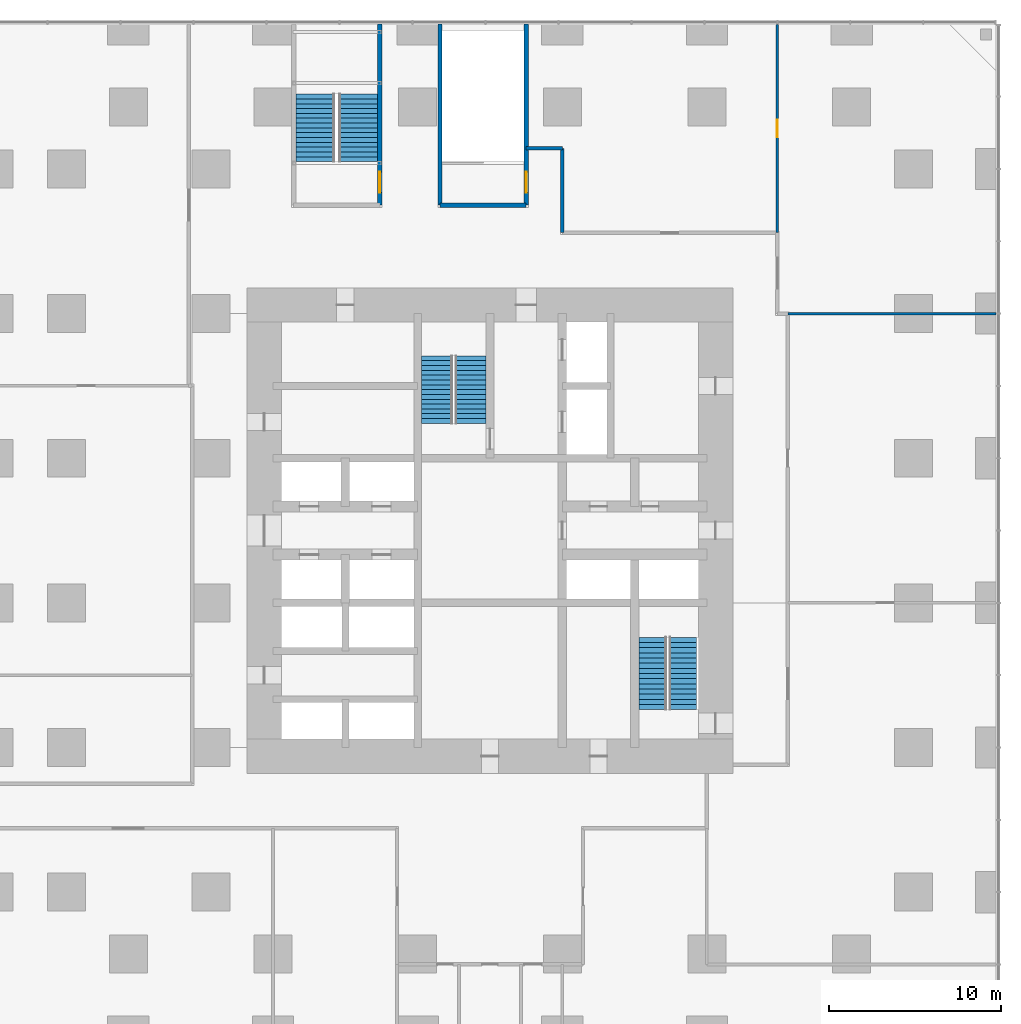
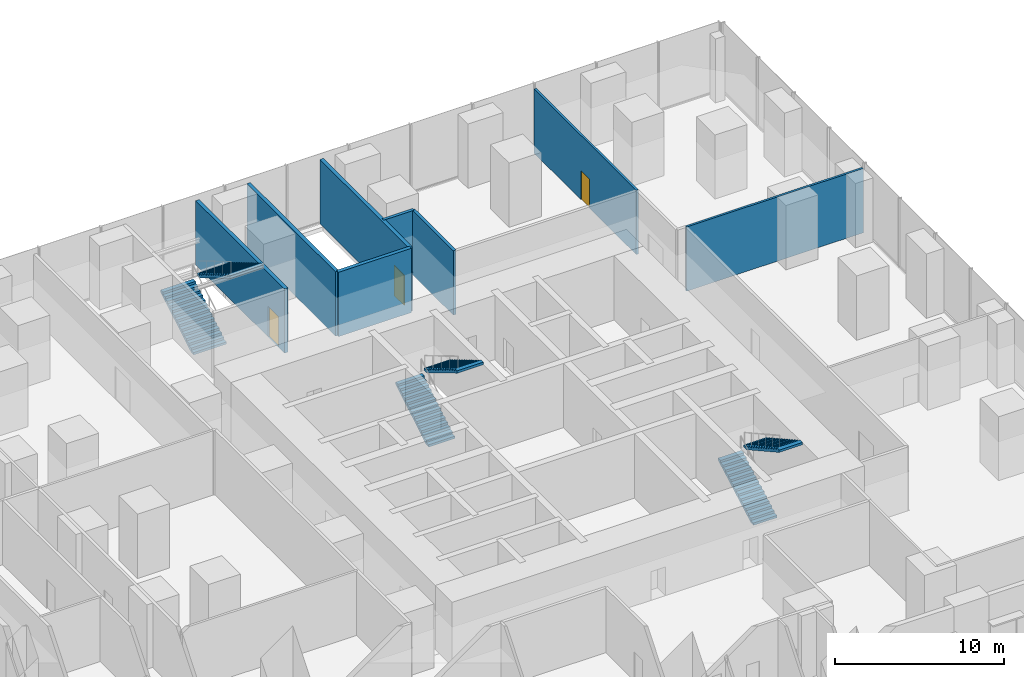
# One storey, part 15 of 18: 8 walls, 6 stair flights, 3 doors, 3 openings, 3 elements without a shape of their own.
"""IFC4 building model written with IfcOpenShell, lengths in metres."""

from ifc_helpers import new_model, si_unit, direction, frame, frame_2d, origin, place, context, subcontext, project, spatial, polyline, rectangle, outline, extrude, material, layer, layer_set, type_object, element, fill, aggregate, save


model = new_model("IFC4")

# Units and contexts
model_context = context("Model", 3, precision=1e-05, world=origin(), true_north=direction((0.0, 1.0)))
body_context = subcontext(model_context, "Body", "Model", "MODEL_VIEW")
ifc_project = project(units=[si_unit("LENGTHUNIT", "METRE"), si_unit("AREAUNIT", "SQUARE_METRE"), si_unit("VOLUMEUNIT", "CUBIC_METRE"), si_unit("PLANEANGLEUNIT", "RADIAN"), si_unit("MASSUNIT", "GRAM", prefix="KILO")], contexts=[model_context])

# Site, building, storey
site_placement = place(None, origin())
site = spatial("IfcSite", under=ifc_project, at=site_placement, CompositionType="ELEMENT")
building_placement = place(site_placement, origin())
building = spatial("IfcBuilding", under=site, at=building_placement, Name="Dunama Terrace Hotel", CompositionType="ELEMENT")
storey_placement = place(building_placement, frame((0.0, 0.0, 17.0)))
storey = spatial("IfcBuildingStorey", under=building, at=storey_placement, Name="L03", CompositionType="ELEMENT", Elevation=17.0)

# Walls
ifc_material_1 = material(Name="Concrete blockwork", Category="masonry")
ifc_layer_1 = layer(ifc_material_1, 0.199951171875)
ifc_layer_set_1 = layer_set([ifc_layer_1], Name="Corridor partition 200")
wall_type_1 = type_object("IfcWallType", Name="Corridor partition 200", PredefinedType="PARTITIONING", material=ifc_layer_set_1)
wall_1_placement = place(storey_placement, frame((33.60009765625, 46.699951171875, 0.0), z_axis=(0.0, 0.0, 1.0), x_axis=(0.0, 1.0, 0.0)))
element("IfcWall", 1, at=wall_1_placement, inside=storey, type_object=wall_type_1, Name="Corridor partition 200 L03", PredefinedType="PARTITIONING", context=body_context, shape_type="SweptSolid", body=[
    extrude(rectangle(XDim=4.900146484375, YDim=0.199951171875, at=frame_2d((2.4501953125, 0.0))), origin(), (0.0, 0.0, 1.0), 4.64990234375),
])
wall_2_placement = place(storey_placement, frame((31.5, 51.60009765625, 0.0), z_axis=(0.0, 0.0, 1.0), x_axis=(1.0, 0.0, 0.0)))
element("IfcWall", 2, at=wall_2_placement, inside=storey, type_object=wall_type_1, Name="Corridor partition 200 L03", PredefinedType="PARTITIONING", context=body_context, shape_type="SweptSolid", body=[
    extrude(rectangle(XDim=2.10009765625, YDim=0.199951171875, at=frame_2d((1.050048828125, 0.0))), origin(), (0.0, 0.0, 1.0), 4.64990234375),
])

# Wall, opening, door
ifc_material_2 = material(Name="Gypsum board partition", Category="masonry")
ifc_layer_2 = layer(ifc_material_2, 0.14990234375)
ifc_layer_set_2 = layer_set([ifc_layer_2], Name="Room partition 150")
wall_type_2 = type_object("IfcWallType", Name="Room partition 150", PredefinedType="PARTITIONING", material=ifc_layer_set_2)
wall_3_placement = place(storey_placement, frame((46.0869140625, 46.699951171875, 0.0), z_axis=(0.0, 0.0, 1.0), x_axis=(0.0, 1.0, 0.0)))
wall_3 = element("IfcWall", 3, at=wall_3_placement, inside=storey, type_object=wall_type_2, Name="Room partition 150 L03", PredefinedType="PARTITIONING", context=body_context, shape_type="SweptSolid", body=[
    extrude(rectangle(XDim=12.10009765625, YDim=0.14990234375, at=frame_2d((6.050048828125, 0.0))), origin(), (0.0, 0.0, 1.0), 4.64990234375),
])
opening_1_placement = place(wall_3_placement, frame((5.550048828125, 0.0, 0.0)))
opening_1 = element("IfcOpeningElement", 4, at=opening_1_placement, cuts=wall_3, Name="Opening L03-042", PredefinedType="OPENING", context=body_context, shape_type="SweptSolid", body=[
    extrude(rectangle(XDim=1.0, YDim=2.10009765625, at=frame_2d((0.5, 1.050048828125))), frame((0.0, 0.0849609375, 0.0), z_axis=(0.0, -1.0, 0.0), x_axis=(1.0, 0.0, 0.0)), (0.0, 0.0, 1.0), 0.169921875),
])
ifc_material_3 = material(Name="Timber door with steel frame", Category="steel")
door_type_1 = type_object("IfcDoorType", Name="Service door 1000", OperationType="SINGLE_SWING_LEFT", PredefinedType="DOOR", material=ifc_material_3)
door_1_placement = place(opening_1_placement, origin())
door_1 = element("IfcDoor", 5, at=door_1_placement, inside=storey, type_object=door_type_1, Name="Door to grill kitchen L03-042, type D7", OperationType="SINGLE_SWING_RIGHT", OverallHeight=2.10009765625, OverallWidth=1.0, PredefinedType="DOOR", context=body_context, shape_type="SweptSolid", body=[
    extrude(rectangle(XDim=1.0, YDim=2.10009765625, at=frame_2d((0.5, 1.050048828125))), frame((0.0, 0.02490234375, 0.0), z_axis=(0.0, -1.0, 0.0), x_axis=(1.0, 0.0, 0.0)), (0.0, 0.0, 1.0), 0.050048828125),
])
fill(opening_1, door_1)

# Wall
wall_4_placement = place(storey_placement, frame((46.699951171875, 42.0, 0.0), z_axis=(0.0, 0.0, 1.0), x_axis=(1.0, 0.0, 0.0)))
element("IfcWall", 6, at=wall_4_placement, inside=storey, type_object=wall_type_2, Name="Room partition 150 L03", PredefinedType="PARTITIONING", context=body_context, shape_type="SweptSolid", body=[
    extrude(rectangle(XDim=12.10009765625, YDim=0.14990234375, at=frame_2d((6.050048828125, 0.0))), origin(), (0.0, 0.0, 1.0), 4.64990234375),
])

# Wall, opening, door
ifc_material_4 = material(Name="Concrete blockwork", Category="masonry")
ifc_layer_3 = layer(ifc_material_4, 0.25)
ifc_layer_set_3 = layer_set([ifc_layer_3], Name="Stair enclosure wall 250")
wall_type_3 = type_object("IfcWallType", Name="Stair enclosure wall 250", PredefinedType="PARTITIONING", material=ifc_layer_set_3)
wall_5_placement = place(storey_placement, frame((23.0, 48.300048828125, 0.0), z_axis=(0.0, 0.0, 1.0), x_axis=(0.0, 1.0, 0.0)))
wall_5 = element("IfcWall", 7, at=wall_5_placement, inside=storey, type_object=wall_type_3, Name="Stair enclosure wall 250 L03", PredefinedType="PARTITIONING", context=body_context, shape_type="SweptSolid", body=[
    extrude(rectangle(XDim=10.52294921875, YDim=0.25, at=frame_2d((5.261474609375, 0.0))), origin(), (0.0, 0.0, 1.0), 4.64990234375),
])
opening_2_placement = place(wall_5_placement, frame((0.72509765625, 0.0, 0.0)))
opening_2 = element("IfcOpeningElement", 8, at=opening_2_placement, cuts=wall_5, Name="Opening L03-010", PredefinedType="OPENING", context=body_context, shape_type="SweptSolid", body=[
    extrude(rectangle(XDim=1.199951171875, YDim=2.199951171875, at=frame_2d((0.60009765625, 1.10009765625))), frame((0.0, 0.135009765625, 0.0), z_axis=(0.0, -1.0, 0.0), x_axis=(1.0, 0.0, 0.0)), (0.0, 0.0, 1.0), 0.27001953125),
])
ifc_material_5 = material(Name="Timber door with steel frame", Category="steel")
door_type_2 = type_object("IfcDoorType", Name="Stair door 1200", OperationType="SINGLE_SWING_LEFT", PredefinedType="DOOR", material=ifc_material_5)
door_2_placement = place(opening_2_placement, origin())
door_2 = element("IfcDoor", 9, at=door_2_placement, inside=storey, type_object=door_type_2, Name="Stair door P5 L03-010, type D5", OperationType="SINGLE_SWING_RIGHT", OverallHeight=2.199951171875, OverallWidth=1.199951171875, PredefinedType="DOOR", context=body_context, shape_type="SweptSolid", body=[
    extrude(rectangle(XDim=1.199951171875, YDim=2.199951171875, at=frame_2d((0.60009765625, 1.10009765625))), frame((0.0, 0.02490234375, 0.0), z_axis=(0.0, -1.0, 0.0), x_axis=(1.0, 0.0, 0.0)), (0.0, 0.0, 1.0), 0.050048828125),
])
fill(opening_2, door_2)

# Wall
wall_6_placement = place(storey_placement, frame((26.5, 48.300048828125, 0.0), z_axis=(0.0, 0.0, 1.0), x_axis=(0.0, 1.0, 0.0)))
element("IfcWall", 10, at=wall_6_placement, inside=storey, type_object=wall_type_3, Name="Stair enclosure wall 250 L03", PredefinedType="PARTITIONING", context=body_context, shape_type="SweptSolid", body=[
    extrude(rectangle(XDim=10.52294921875, YDim=0.25, at=frame_2d((5.261474609375, 0.0))), origin(), (0.0, 0.0, 1.0), 4.64990234375),
])

# Wall, opening, door
wall_7_placement = place(storey_placement, frame((31.5, 48.300048828125, 0.0), z_axis=(0.0, 0.0, 1.0), x_axis=(0.0, 1.0, 0.0)))
wall_7 = element("IfcWall", 11, at=wall_7_placement, inside=storey, type_object=wall_type_3, Name="Stair enclosure wall 250 L03", PredefinedType="PARTITIONING", context=body_context, shape_type="SweptSolid", body=[
    extrude(rectangle(XDim=10.52294921875, YDim=0.25, at=frame_2d((5.261474609375, 0.0))), origin(), (0.0, 0.0, 1.0), 4.64990234375),
])
opening_3_placement = place(wall_7_placement, frame((0.72509765625, 0.0, 0.0)))
opening_3 = element("IfcOpeningElement", 12, at=opening_3_placement, cuts=wall_7, Name="Opening L03-011", PredefinedType="OPENING", context=body_context, shape_type="SweptSolid", body=[
    extrude(rectangle(XDim=1.199951171875, YDim=2.199951171875, at=frame_2d((0.60009765625, 1.10009765625))), frame((0.0, 0.135009765625, 0.0), z_axis=(0.0, -1.0, 0.0), x_axis=(1.0, 0.0, 0.0)), (0.0, 0.0, 1.0), 0.27001953125),
])
door_3_placement = place(opening_3_placement, origin())
door_3 = element("IfcDoor", 13, at=door_3_placement, inside=storey, type_object=door_type_2, Name="Stair door P6 L03-011, type D5", OperationType="SINGLE_SWING_LEFT", OverallHeight=2.199951171875, OverallWidth=1.199951171875, PredefinedType="DOOR", context=body_context, shape_type="SweptSolid", body=[
    extrude(rectangle(XDim=1.199951171875, YDim=2.199951171875, at=frame_2d((0.60009765625, 1.10009765625))), frame((0.0, 0.02490234375, 0.0), z_axis=(0.0, -1.0, 0.0), x_axis=(1.0, 0.0, 0.0)), (0.0, 0.0, 1.0), 0.050048828125),
])
fill(opening_3, door_3)

# Wall
wall_8_placement = place(storey_placement, frame((26.5, 48.300048828125, 0.0), z_axis=(0.0, 0.0, 1.0), x_axis=(1.0, 0.0, 0.0)))
element("IfcWall", 14, at=wall_8_placement, inside=storey, type_object=wall_type_3, Name="Stair enclosure wall 250 L03", PredefinedType="PARTITIONING", context=body_context, shape_type="SweptSolid", body=[
    extrude(rectangle(XDim=5.0, YDim=0.25, at=frame_2d((2.5, 0.0))), origin(), (0.0, 0.0, 1.0), 4.64990234375),
])

# Stair, stair flights
ifc_material_6 = material(Name="Concrete C40/50", Category="concrete")
stair_type_1 = type_object("IfcStairType", Name="Stair P5-5000-2250", PredefinedType="HALF_TURN_STAIR", material=ifc_material_6)
stair_1_placement = place(storey_placement, origin())
stair_1 = element("IfcStair", 15, at=stair_1_placement, inside=storey, type_object=stair_type_1, Name="Stair P5 L03", PredefinedType="HALF_TURN_STAIR")
ifc_material_7 = material(Name="Concrete C40/50", Category="concrete")
stair_flight_type_1 = type_object("IfcStairFlightType", Name="Stair flight P5-5000-2250", PredefinedType="STRAIGHT", material=ifc_material_7)
stair_flight_1_placement = place(storey_placement, frame((19.25, 50.824951171875, 0.0), z_axis=(0.0, 0.0, 1.0), x_axis=(0.0, 1.0, 0.0)))
stair_flight_1 = element("IfcStairFlight", 16, at=stair_flight_1_placement, type_object=stair_flight_type_1, Name="P5 flight 1", NumberOfRisers=15, NumberOfTreads=14, PredefinedType="STRAIGHT", RiserHeight=0.166666667, TreadLength=0.28, context=body_context, shape_type="SweptSolid", body=[
    extrude(outline(polyline([(0.0, 0.0), (0.0, 0.166748046875), (0.280029296875, 0.166748046875), (0.280029296875, 0.333251953125), (0.56005859375, 0.333251953125), (0.56005859375, 0.5), (0.840087890625, 0.5), (0.840087890625, 0.666748046875), (1.1201171875, 0.666748046875), (1.1201171875, 0.833251953125), (1.39990234375, 0.833251953125), (1.39990234375, 1.0), (1.679931640625, 1.0), (1.679931640625, 1.166748046875), (1.9599609375, 1.166748046875), (1.9599609375, 1.333251953125), (2.239990234375, 1.333251953125), (2.239990234375, 1.5), (2.52001953125, 1.5), (2.52001953125, 1.666748046875), (2.800048828125, 1.666748046875), (2.800048828125, 1.833251953125), (3.080078125, 1.833251953125), (3.080078125, 2.0), (3.360107421875, 2.0), (3.360107421875, 2.166748046875), (3.639892578125, 2.166748046875), (3.639892578125, 2.333251953125), (3.919921875, 2.333251953125), (3.919921875, 2.5), (3.919921875, 2.158935546875), (0.29296875, 0.0), (0.0, 0.0)])), frame((0.0, 1.125, 0.0), z_axis=(0.0, -1.0, 0.0), x_axis=(1.0, 0.0, 0.0)), (0.0, 0.0, 1.0), 2.25),
])
stair_flight_2_placement = place(storey_placement, frame((21.75, 54.7451171875, 2.5), z_axis=(0.0, 0.0, 1.0), x_axis=(0.0, -1.0, 0.0)))
stair_flight_2 = element("IfcStairFlight", 17, at=stair_flight_2_placement, type_object=stair_flight_type_1, Name="P5 flight 2", NumberOfRisers=15, NumberOfTreads=14, PredefinedType="STRAIGHT", RiserHeight=0.166666667, TreadLength=0.28, context=body_context, shape_type="SweptSolid", body=[
    extrude(outline(polyline([(0.0, 0.0), (0.0, 0.166748046875), (0.280029296875, 0.166748046875), (0.280029296875, 0.333251953125), (0.56005859375, 0.333251953125), (0.56005859375, 0.5), (0.840087890625, 0.5), (0.840087890625, 0.666748046875), (1.1201171875, 0.666748046875), (1.1201171875, 0.833251953125), (1.39990234375, 0.833251953125), (1.39990234375, 1.0), (1.679931640625, 1.0), (1.679931640625, 1.166748046875), (1.9599609375, 1.166748046875), (1.9599609375, 1.333251953125), (2.239990234375, 1.333251953125), (2.239990234375, 1.5), (2.52001953125, 1.5), (2.52001953125, 1.666748046875), (2.800048828125, 1.666748046875), (2.800048828125, 1.833251953125), (3.080078125, 1.833251953125), (3.080078125, 2.0), (3.360107421875, 2.0), (3.360107421875, 2.166748046875), (3.639892578125, 2.166748046875), (3.639892578125, 2.333251953125), (3.919921875, 2.333251953125), (3.919921875, 2.5), (3.919921875, 2.158935546875), (0.29296875, 0.0), (0.0, 0.0)])), frame((0.0, 1.125, 0.0), z_axis=(0.0, -1.0, 0.0), x_axis=(1.0, 0.0, 0.0)), (0.0, 0.0, 1.0), 2.25),
])
aggregate(stair_1, [stair_flight_1, stair_flight_2])

ifc_material_8 = material(Name="Concrete C40/50", Category="concrete")
stair_type_2 = type_object("IfcStairType", Name="Stair ST1-5000-1800", PredefinedType="HALF_TURN_STAIR", material=ifc_material_8)
stair_2_placement = place(storey_placement, origin())
stair_2 = element("IfcStair", 18, at=stair_2_placement, inside=storey, type_object=stair_type_2, Name="Stair ST1 L03", PredefinedType="HALF_TURN_STAIR")
ifc_material_9 = material(Name="Concrete C40/50", Category="concrete")
stair_flight_type_2 = type_object("IfcStairFlightType", Name="Stair flight ST1-5000-1800", PredefinedType="STRAIGHT", material=ifc_material_9)
stair_flight_3_placement = place(storey_placement, frame((26.324951171875, 35.625, 0.0), z_axis=(0.0, 0.0, 1.0), x_axis=(0.0, 1.0, 0.0)))
stair_flight_3 = element("IfcStairFlight", 19, at=stair_flight_3_placement, type_object=stair_flight_type_2, Name="ST1 flight 1", NumberOfRisers=15, NumberOfTreads=14, PredefinedType="STRAIGHT", RiserHeight=0.166666667, TreadLength=0.28, context=body_context, shape_type="SweptSolid", body=[
    extrude(outline(polyline([(0.0, 0.0), (0.0, 0.166748046875), (0.280029296875, 0.166748046875), (0.280029296875, 0.333251953125), (0.56005859375, 0.333251953125), (0.56005859375, 0.5), (0.840087890625, 0.5), (0.840087890625, 0.666748046875), (1.1201171875, 0.666748046875), (1.1201171875, 0.833251953125), (1.39990234375, 0.833251953125), (1.39990234375, 1.0), (1.679931640625, 1.0), (1.679931640625, 1.166748046875), (1.9599609375, 1.166748046875), (1.9599609375, 1.333251953125), (2.239990234375, 1.333251953125), (2.239990234375, 1.5), (2.52001953125, 1.5), (2.52001953125, 1.666748046875), (2.800048828125, 1.666748046875), (2.800048828125, 1.833251953125), (3.080078125, 1.833251953125), (3.080078125, 2.0), (3.360107421875, 2.0), (3.360107421875, 2.166748046875), (3.639892578125, 2.166748046875), (3.639892578125, 2.333251953125), (3.919921875, 2.333251953125), (3.919921875, 2.5), (3.919921875, 2.158935546875), (0.29296875, 0.0), (0.0, 0.0)])), frame((0.0, 0.89990234375, 0.0), z_axis=(0.0, -1.0, 0.0), x_axis=(1.0, 0.0, 0.0)), (0.0, 0.0, 1.0), 1.800048828125),
])
stair_flight_4_placement = place(storey_placement, frame((28.27490234375, 39.544921875, 2.5), z_axis=(0.0, 0.0, 1.0), x_axis=(0.0, -1.0, 0.0)))
stair_flight_4 = element("IfcStairFlight", 20, at=stair_flight_4_placement, type_object=stair_flight_type_2, Name="ST1 flight 2", NumberOfRisers=15, NumberOfTreads=14, PredefinedType="STRAIGHT", RiserHeight=0.166666667, TreadLength=0.28, context=body_context, shape_type="SweptSolid", body=[
    extrude(outline(polyline([(0.0, 0.0), (0.0, 0.166748046875), (0.280029296875, 0.166748046875), (0.280029296875, 0.333251953125), (0.56005859375, 0.333251953125), (0.56005859375, 0.5), (0.840087890625, 0.5), (0.840087890625, 0.666748046875), (1.1201171875, 0.666748046875), (1.1201171875, 0.833251953125), (1.39990234375, 0.833251953125), (1.39990234375, 1.0), (1.679931640625, 1.0), (1.679931640625, 1.166748046875), (1.9599609375, 1.166748046875), (1.9599609375, 1.333251953125), (2.239990234375, 1.333251953125), (2.239990234375, 1.5), (2.52001953125, 1.5), (2.52001953125, 1.666748046875), (2.800048828125, 1.666748046875), (2.800048828125, 1.833251953125), (3.080078125, 1.833251953125), (3.080078125, 2.0), (3.360107421875, 2.0), (3.360107421875, 2.166748046875), (3.639892578125, 2.166748046875), (3.639892578125, 2.333251953125), (3.919921875, 2.333251953125), (3.919921875, 2.5), (3.919921875, 2.158935546875), (0.29296875, 0.0), (0.0, 0.0)])), frame((0.0, 0.89990234375, 0.0), z_axis=(0.0, -1.0, 0.0), x_axis=(1.0, 0.0, 0.0)), (0.0, 0.0, 1.0), 1.800048828125),
])
aggregate(stair_2, [stair_flight_3, stair_flight_4])

ifc_material_10 = material(Name="Concrete C40/50", Category="concrete")
stair_type_3 = type_object("IfcStairType", Name="Stair ST2-5000-1600", PredefinedType="HALF_TURN_STAIR", material=ifc_material_10)
stair_3_placement = place(storey_placement, origin())
stair_3 = element("IfcStair", 21, at=stair_3_placement, inside=storey, type_object=stair_type_3, Name="Stair ST2 L03", PredefinedType="HALF_TURN_STAIR")
ifc_material_11 = material(Name="Concrete C40/50", Category="concrete")
stair_flight_type_3 = type_object("IfcStairFlightType", Name="Stair flight ST2-5000-1600", PredefinedType="STRAIGHT", material=ifc_material_11)
stair_flight_5_placement = place(storey_placement, frame((38.85009765625, 19.0, 0.0), z_axis=(0.0, 0.0, 1.0), x_axis=(0.0, 1.0, 0.0)))
stair_flight_5 = element("IfcStairFlight", 22, at=stair_flight_5_placement, type_object=stair_flight_type_3, Name="ST2 flight 1", NumberOfRisers=15, NumberOfTreads=14, PredefinedType="STRAIGHT", RiserHeight=0.166666667, TreadLength=0.3, context=body_context, shape_type="SweptSolid", body=[
    extrude(outline(polyline([(0.0, 0.0), (0.0, 0.166748046875), (0.300048828125, 0.166748046875), (0.300048828125, 0.333251953125), (0.60009765625, 0.333251953125), (0.60009765625, 0.5), (0.89990234375, 0.5), (0.89990234375, 0.666748046875), (1.199951171875, 0.666748046875), (1.199951171875, 0.833251953125), (1.5, 0.833251953125), (1.5, 1.0), (1.800048828125, 1.0), (1.800048828125, 1.166748046875), (2.10009765625, 1.166748046875), (2.10009765625, 1.333251953125), (2.39990234375, 1.333251953125), (2.39990234375, 1.5), (2.699951171875, 1.5), (2.699951171875, 1.666748046875), (3.0, 1.666748046875), (3.0, 1.833251953125), (3.300048828125, 1.833251953125), (3.300048828125, 2.0), (3.60009765625, 2.0), (3.60009765625, 2.166748046875), (3.89990234375, 2.166748046875), (3.89990234375, 2.333251953125), (4.199951171875, 2.333251953125), (4.199951171875, 2.5), (4.199951171875, 2.161865234375), (0.30859375, 0.0), (0.0, 0.0)])), frame((0.0, 0.800048828125, 0.0), z_axis=(0.0, -1.0, 0.0), x_axis=(1.0, 0.0, 0.0)), (0.0, 0.0, 1.0), 1.60009765625),
])
stair_flight_6_placement = place(storey_placement, frame((40.60009765625, 23.199951171875, 2.5), z_axis=(0.0, 0.0, 1.0), x_axis=(0.0, -1.0, 0.0)))
stair_flight_6 = element("IfcStairFlight", 23, at=stair_flight_6_placement, type_object=stair_flight_type_3, Name="ST2 flight 2", NumberOfRisers=15, NumberOfTreads=14, PredefinedType="STRAIGHT", RiserHeight=0.166666667, TreadLength=0.3, context=body_context, shape_type="SweptSolid", body=[
    extrude(outline(polyline([(0.0, 0.0), (0.0, 0.166748046875), (0.300048828125, 0.166748046875), (0.300048828125, 0.333251953125), (0.60009765625, 0.333251953125), (0.60009765625, 0.5), (0.89990234375, 0.5), (0.89990234375, 0.666748046875), (1.199951171875, 0.666748046875), (1.199951171875, 0.833251953125), (1.5, 0.833251953125), (1.5, 1.0), (1.800048828125, 1.0), (1.800048828125, 1.166748046875), (2.10009765625, 1.166748046875), (2.10009765625, 1.333251953125), (2.39990234375, 1.333251953125), (2.39990234375, 1.5), (2.699951171875, 1.5), (2.699951171875, 1.666748046875), (3.0, 1.666748046875), (3.0, 1.833251953125), (3.300048828125, 1.833251953125), (3.300048828125, 2.0), (3.60009765625, 2.0), (3.60009765625, 2.166748046875), (3.89990234375, 2.166748046875), (3.89990234375, 2.333251953125), (4.199951171875, 2.333251953125), (4.199951171875, 2.5), (4.199951171875, 2.161865234375), (0.30859375, 0.0), (0.0, 0.0)])), frame((0.0, 0.800048828125, 0.0), z_axis=(0.0, -1.0, 0.0), x_axis=(1.0, 0.0, 0.0)), (0.0, 0.0, 1.0), 1.60009765625),
])
aggregate(stair_3, [stair_flight_5, stair_flight_6])

save(model, "model.ifc")
